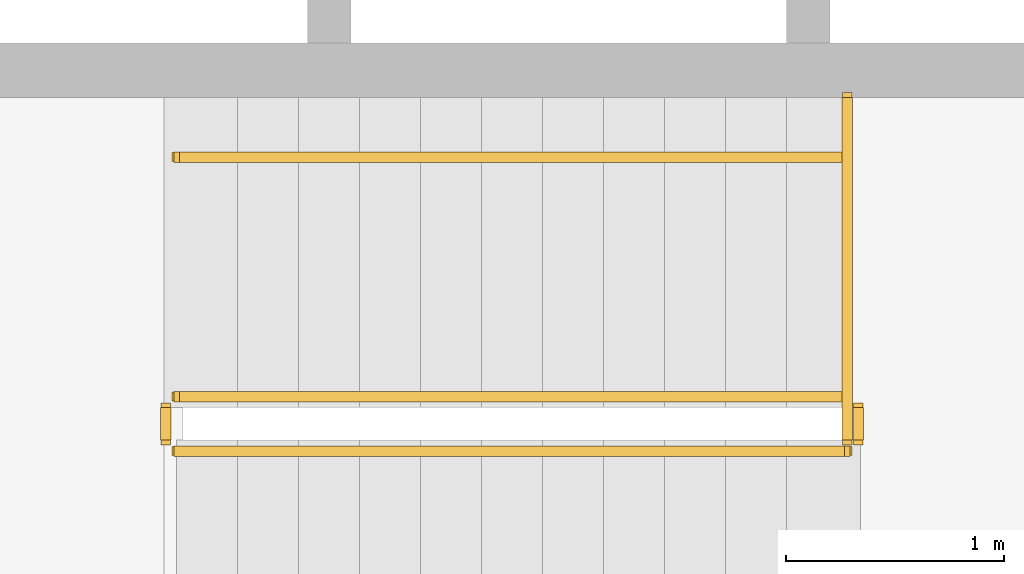
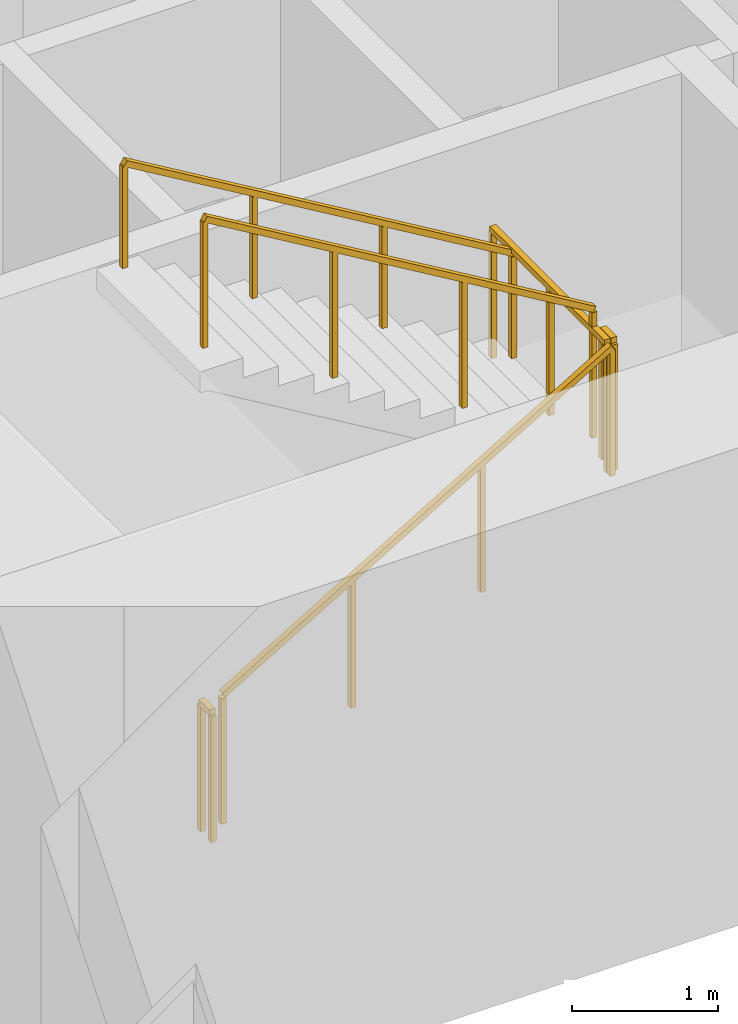
# One storey, part 13 of 16: 6 railings.
"""IFC4 building model written with IfcOpenShell, lengths in metres."""

from ifc_helpers import new_model, si_unit, direction, frame, origin, origin_2d, place, context, subcontext, project, spatial, rectangle, extrude, material, type_object, element, save


model = new_model("IFC4")

# Units and contexts
model_context = context("Model", 3, precision=1e-05, world=origin(), true_north=direction((0.0, 1.0)))
body_context = subcontext(model_context, "Body", "Model", "MODEL_VIEW")
ifc_project = project(units=[si_unit("LENGTHUNIT", "METRE"), si_unit("AREAUNIT", "SQUARE_METRE"), si_unit("VOLUMEUNIT", "CUBIC_METRE"), si_unit("PLANEANGLEUNIT", "RADIAN"), si_unit("MASSUNIT", "GRAM", prefix="KILO")], contexts=[model_context])

# Site, building, storey
site_placement = place(None, origin())
site = spatial("IfcSite", under=ifc_project, at=site_placement, CompositionType="ELEMENT")
building_placement = place(site_placement, origin())
building = spatial("IfcBuilding", under=site, at=building_placement, Name="Sennacour Bend Tower", CompositionType="ELEMENT")
storey_placement = place(building_placement, frame((0.0, 0.0, 107.0)))
storey = spatial("IfcBuildingStorey", under=building, at=storey_placement, Name="L24", CompositionType="ELEMENT", Elevation=107.0)

# Railings
ifc_material = material(Name="Stainless steel", Category="steel")
railing_type_1 = type_object("IfcRailingType", Name="RL-GUARD-1100", PredefinedType="GUARDRAIL", material=ifc_material)
railing_1_placement = place(storey_placement, frame((56.699951171875, 2.449951171875, 0.166748046875)))
element("IfcRailing", 1, at=railing_1_placement, inside=storey, type_object=railing_type_1, Name="L24 SA1 stair guard 1", PredefinedType="GUARDRAIL", context=body_context, shape_type="SweptSolid", body=[
    extrude(rectangle(XDim=0.048095703125, YDim=0.048095703125, at=origin_2d()), frame((0.0, 0.0, 1.076171875), z_axis=(0.859308565015, 0.0, 0.511457515432), x_axis=(0.0, 1.0, 0.0)), (0.0, 0.0, 1.0), 3.58447265625),
    extrude(rectangle(XDim=0.0419921875, YDim=0.0419921875, at=origin_2d()), origin(), (0.0, 0.0, 1.0), 1.052001953125),
    extrude(rectangle(XDim=0.0419921875, YDim=0.0419921875, at=origin_2d()), frame((1.026611328125, 0.0, 0.611083984375)), (0.0, 0.0, 1.0), 1.052001953125),
    extrude(rectangle(XDim=0.0419921875, YDim=0.0419921875, at=origin_2d()), frame((2.053466796875, 0.0, 1.22216796875)), (0.0, 0.0, 1.0), 1.052001953125),
    extrude(rectangle(XDim=0.0419921875, YDim=0.0419921875, at=origin_2d()), frame((3.080078125, 0.0, 1.833251953125)), (0.0, 0.0, 1.0), 1.052001953125),
])
railing_2_placement = place(storey_placement, frame((59.830078125, 2.5, 2.0)))
element("IfcRailing", 2, at=railing_2_placement, inside=storey, type_object=railing_type_1, Name="L24 SA1 stair guard 2", PredefinedType="GUARDRAIL", context=body_context, shape_type="SweptSolid", body=[
    extrude(rectangle(XDim=0.048095703125, YDim=0.048095703125, at=origin_2d()), frame((0.0, 0.0, 1.076171875), z_axis=(0.0, 1.0, 0.0), x_axis=(-1.0, 0.0, 0.0)), (0.0, 0.0, 1.0), 0.14990234375),
    extrude(rectangle(XDim=0.0419921875, YDim=0.0419921875, at=origin_2d()), origin(), (0.0, 0.0, 1.0), 1.052001953125),
    extrude(rectangle(XDim=0.0419921875, YDim=0.0419921875, at=origin_2d()), frame((0.0, 0.14990234375, 0.0)), (0.0, 0.0, 1.0), 1.052001953125),
])
railing_3_placement = place(storey_placement, frame((59.780029296875, 2.699951171875, 2.166748046875)))
element("IfcRailing", 3, at=railing_3_placement, inside=storey, type_object=railing_type_1, Name="L24 SA1 stair guard 4", PredefinedType="GUARDRAIL", context=body_context, shape_type="SweptSolid", body=[
    extrude(rectangle(XDim=0.048095703125, YDim=0.048095703125, at=origin_2d()), frame((0.0, 0.0, 1.076171875), z_axis=(-0.859308565015, 0.0, 0.511457515432), x_axis=(0.0, -1.0, 0.0)), (0.0, 0.0, 1.0), 3.58447265625),
    extrude(rectangle(XDim=0.0419921875, YDim=0.0419921875, at=origin_2d()), origin(), (0.0, 0.0, 1.0), 1.052001953125),
    extrude(rectangle(XDim=0.0419921875, YDim=0.0419921875, at=origin_2d()), frame((-1.026611328125, 0.0, 0.611083984375)), (0.0, 0.0, 1.0), 1.052001953125),
    extrude(rectangle(XDim=0.0419921875, YDim=0.0419921875, at=origin_2d()), frame((-2.053466796875, 0.0, 1.22216796875)), (0.0, 0.0, 1.0), 1.052001953125),
    extrude(rectangle(XDim=0.0419921875, YDim=0.0419921875, at=origin_2d()), frame((-3.080078125, 0.0, 1.833251953125)), (0.0, 0.0, 1.0), 1.052001953125),
])
railing_4_placement = place(storey_placement, frame((56.64990234375, 2.5, 0.0)))
element("IfcRailing", 4, at=railing_4_placement, inside=storey, type_object=railing_type_1, Name="L24 SA1 stair guard 5", PredefinedType="GUARDRAIL", context=body_context, shape_type="SweptSolid", body=[
    extrude(rectangle(XDim=0.048095703125, YDim=0.048095703125, at=origin_2d()), frame((0.0, 0.0, 1.076171875), z_axis=(0.0, 1.0, 0.0), x_axis=(-1.0, 0.0, 0.0)), (0.0, 0.0, 1.0), 0.14990234375),
    extrude(rectangle(XDim=0.0419921875, YDim=0.0419921875, at=origin_2d()), origin(), (0.0, 0.0, 1.0), 1.052001953125),
    extrude(rectangle(XDim=0.0419921875, YDim=0.0419921875, at=origin_2d()), frame((0.0, 0.14990234375, 0.0)), (0.0, 0.0, 1.0), 1.052001953125),
])
railing_5_placement = place(storey_placement, frame((59.780029296875, 2.5, 2.0)))
element("IfcRailing", 5, at=railing_5_placement, inside=storey, type_object=railing_type_1, Name="L24 SA1 landing edge guard 42", PredefinedType="GUARDRAIL", context=body_context, shape_type="SweptSolid", body=[
    extrude(rectangle(XDim=0.048095703125, YDim=0.048095703125, at=origin_2d()), frame((0.0, 0.0, 1.076171875), z_axis=(0.0, 1.0, 0.0), x_axis=(-1.0, 0.0, 0.0)), (0.0, 0.0, 1.0), 1.574951171875),
    extrude(rectangle(XDim=0.0419921875, YDim=0.0419921875, at=origin_2d()), origin(), (0.0, 0.0, 1.0), 1.052001953125),
    extrude(rectangle(XDim=0.0419921875, YDim=0.0419921875, at=origin_2d()), frame((0.0, 0.78759765625, 0.0)), (0.0, 0.0, 1.0), 1.052001953125),
    extrude(rectangle(XDim=0.0419921875, YDim=0.0419921875, at=origin_2d()), frame((0.0, 1.574951171875, 0.0)), (0.0, 0.0, 1.0), 1.052001953125),
])
railing_type_2 = type_object("IfcRailingType", Name="RL-HANDRAIL-900", PredefinedType="HANDRAIL", material=ifc_material)
railing_6_placement = place(storey_placement, frame((59.780029296875, 3.800048828125, 2.166748046875)))
element("IfcRailing", 6, at=railing_6_placement, inside=storey, type_object=railing_type_2, Name="L24 SA1 stair handrail 2", PredefinedType="HANDRAIL", context=body_context, shape_type="SweptSolid", body=[
    extrude(rectangle(XDim=0.048095703125, YDim=0.048095703125, at=origin_2d()), frame((0.0, 0.0, 0.8759765625), z_axis=(-0.859308565015, 0.0, 0.511457515432), x_axis=(0.0, -1.0, 0.0)), (0.0, 0.0, 1.0), 3.58447265625),
    extrude(rectangle(XDim=0.0419921875, YDim=0.0419921875, at=origin_2d()), origin(), (0.0, 0.0, 1.0), 0.851806640625),
    extrude(rectangle(XDim=0.0419921875, YDim=0.0419921875, at=origin_2d()), frame((-1.026611328125, 0.0, 0.611083984375)), (0.0, 0.0, 1.0), 0.851806640625),
    extrude(rectangle(XDim=0.0419921875, YDim=0.0419921875, at=origin_2d()), frame((-2.053466796875, 0.0, 1.22216796875)), (0.0, 0.0, 1.0), 0.851806640625),
    extrude(rectangle(XDim=0.0419921875, YDim=0.0419921875, at=origin_2d()), frame((-3.080078125, 0.0, 1.833251953125)), (0.0, 0.0, 1.0), 0.851806640625),
])

save(model, "model.ifc")
